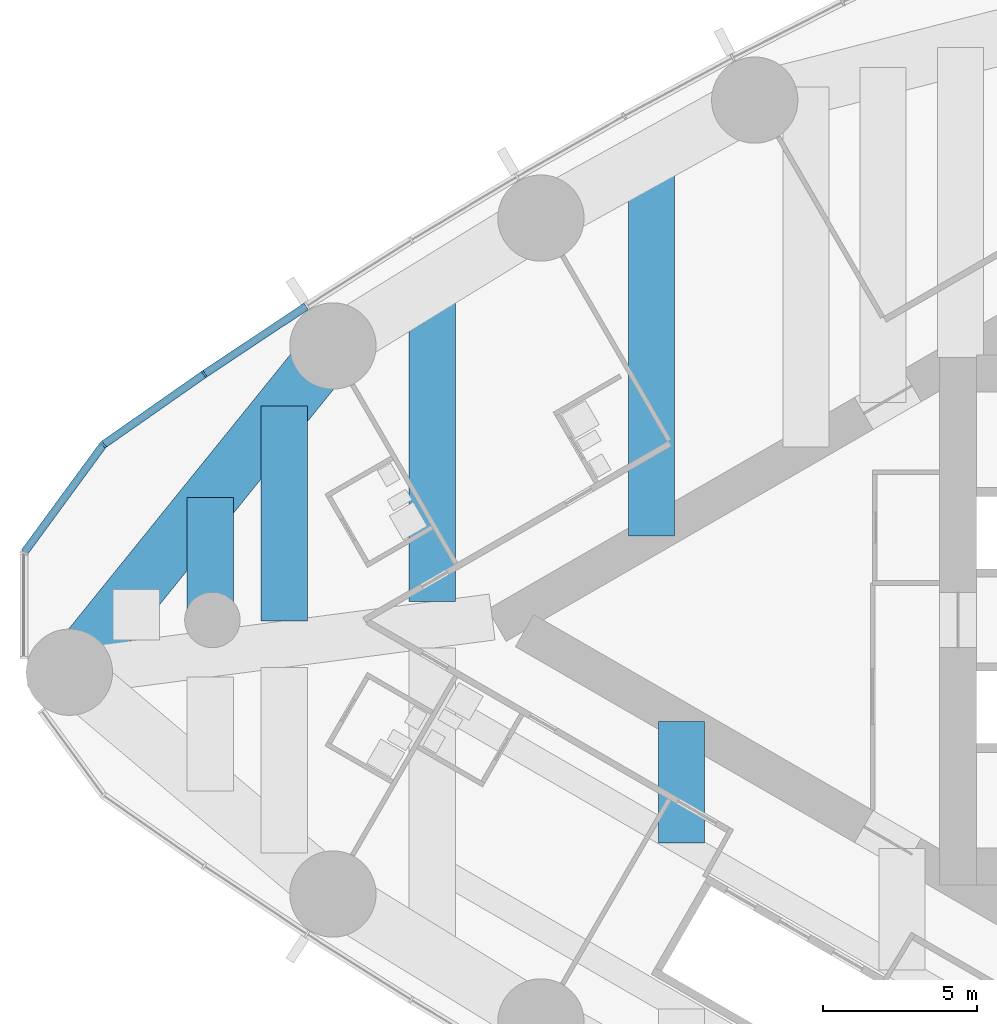
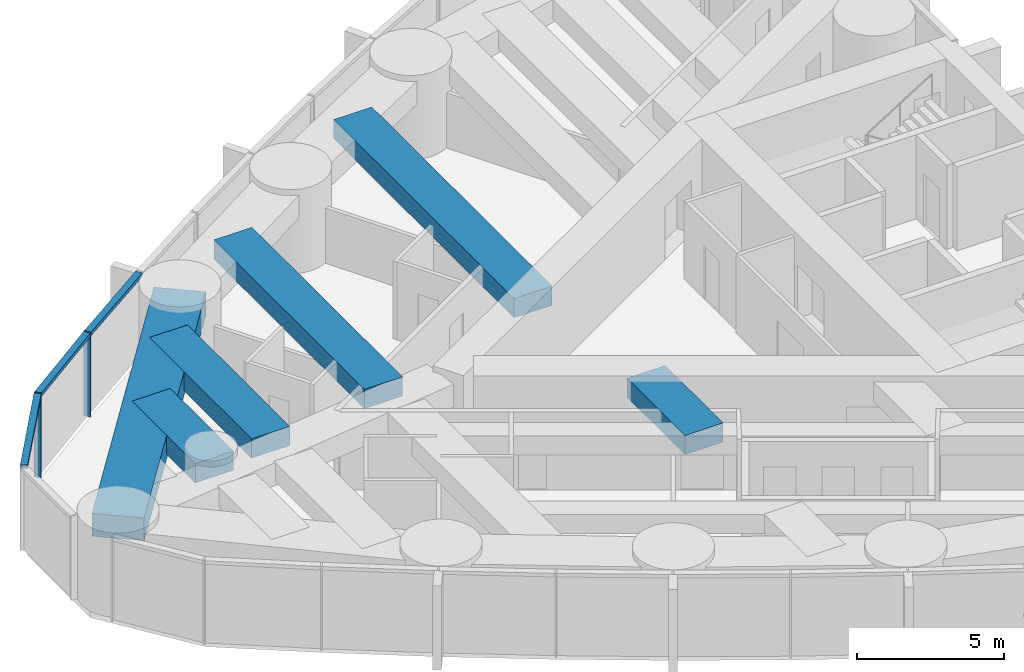
# One storey, part 3 of 18: 6 beams, 5 members, 1 element without a shape of its own.
"""IFC4 building model written with IfcOpenShell, lengths in metres."""

from ifc_helpers import new_model, si_unit, direction, frame, origin, origin_2d, place, context, subcontext, project, spatial, rectangle, extrude, material, material_profile, profile_set, type_object, element, aggregate, save


model = new_model("IFC4")

# Units and contexts
model_context = context("Model", 3, precision=1e-05, world=origin(), true_north=direction((0.0, 1.0)))
body_context = subcontext(model_context, "Body", "Model", "MODEL_VIEW")
ifc_project = project(units=[si_unit("LENGTHUNIT", "METRE"), si_unit("AREAUNIT", "SQUARE_METRE"), si_unit("VOLUMEUNIT", "CUBIC_METRE"), si_unit("PLANEANGLEUNIT", "RADIAN"), si_unit("MASSUNIT", "GRAM", prefix="KILO")], contexts=[model_context])

# Site, building, storey
site_placement = place(None, origin())
site = spatial("IfcSite", under=ifc_project, at=site_placement, CompositionType="ELEMENT")
building_placement = place(site_placement, origin())
building = spatial("IfcBuilding", under=site, at=building_placement, Name="Lancet Gate Hotel", CompositionType="ELEMENT")
storey_placement = place(building_placement, frame((0.0, 0.0, 180.800048828125)))
storey = spatial("IfcBuildingStorey", under=building, at=storey_placement, Name="L48", CompositionType="ELEMENT", Elevation=180.800048828125)

# Curtain wall, members
ifc_material_1 = material(Name="Aluminium curtain wall", Category="aluminium")
curtain_wall_type = type_object("IfcCurtainWallType", Name="Tower unitised curtain wall", PredefinedType="USERDEFINED", material=ifc_material_1)
curtain_wall_placement = place(storey_placement, origin())
curtain_wall = element("IfcCurtainWall", 1, at=curtain_wall_placement, inside=storey, type_object=curtain_wall_type, Name="T1 L48 curtain wall 2", ObjectType="UNITISED CURTAIN WALL", PredefinedType="USERDEFINED")
ifc_material_2 = material(Name="Aluminium mullion", Category="aluminium")
ifc_material_profile_1 = material_profile(ifc_material_2, rectangle(XDim=0.06494140625, YDim=0.25, at=origin_2d()), Name="MULLION 65x250")
ifc_profile_set_1 = profile_set([ifc_material_profile_1], Name="Aluminium mullion")
member_type_1 = type_object("IfcMemberType", Name="Aluminium mullion 65x250", PredefinedType="MULLION", material=ifc_profile_set_1)
member_1_placement = place(storey_placement, frame((-61.7626953125, 7.980712890625, 0.0), z_axis=(0.0, 0.0, 1.0), x_axis=(-0.826312172542, -0.563212387568, 0.0)))
member_1 = element("IfcMember", 2, at=member_1_placement, type_object=member_type_1, Name="T1 L48 curtain wall 2 mullion 10", PredefinedType="MULLION", context=body_context, shape_type="SweptSolid", body=[
    extrude(rectangle(XDim=0.06494140625, YDim=0.25, at=origin_2d()), origin(), (0.0, 0.0, 1.0), 3.5),
])
member_2_placement = place(storey_placement, frame((-65.040283203125, 5.68994140625, 0.0), z_axis=(0.0, 0.0, 1.0), x_axis=(-0.710112861968, -0.704087866155, 0.0)))
member_2 = element("IfcMember", 3, at=member_2_placement, type_object=member_type_1, Name="T1 L48 curtain wall 2 mullion 11", PredefinedType="MULLION", context=body_context, shape_type="SweptSolid", body=[
    extrude(rectangle(XDim=0.06494140625, YDim=0.25, at=origin_2d()), origin(), (0.0, 0.0, 1.0), 3.5),
])
ifc_material_3 = material(Name="Aluminium transom", Category="aluminium")
ifc_material_profile_2 = material_profile(ifc_material_3, rectangle(XDim=0.25, YDim=0.14990234375, at=origin_2d()), Name="TRANSOM 250x150")
ifc_profile_set_2 = profile_set([ifc_material_profile_2], Name="Aluminium transom")
member_type_2 = type_object("IfcMemberType", Name="Aluminium transom 250x150", PredefinedType="USERDEFINED", material=ifc_profile_set_2)
member_3_placement = place(storey_placement, frame((-58.459228515625, 10.176025390625, 3.425048828125), z_axis=(-0.832870509189, -0.553467898729, 0.0), x_axis=(0.553467898729, -0.832870509189, 0.0)))
member_3 = element("IfcMember", 4, at=member_3_placement, type_object=member_type_2, Name="T1 L48 curtain wall 2 transom 9", ObjectType="TRANSOM", PredefinedType="USERDEFINED", context=body_context, shape_type="SweptSolid", body=[
    extrude(rectangle(XDim=0.25, YDim=0.14990234375, at=origin_2d()), origin(), (0.0, 0.0, 1.0), 3.933837890625),
])
member_4_placement = place(storey_placement, frame((-61.789306640625, 7.962158203125, 3.425048828125), z_axis=(-0.819636985462, -0.572883244704, 0.0), x_axis=(0.572883244704, -0.819636985462, 0.0)))
member_4 = element("IfcMember", 5, at=member_4_placement, type_object=member_type_2, Name="T1 L48 curtain wall 2 transom 10", ObjectType="TRANSOM", PredefinedType="USERDEFINED", context=body_context, shape_type="SweptSolid", body=[
    extrude(rectangle(XDim=0.25, YDim=0.14990234375, at=origin_2d()), origin(), (0.0, 0.0, 1.0), 3.933837890625),
])
member_5_placement = place(storey_placement, frame((-65.0595703125, 5.66357421875, 3.425048828125), z_axis=(-0.591324189618, -0.806433941977, 0.0), x_axis=(0.806433941977, -0.591324189618, 0.0)))
member_5 = element("IfcMember", 6, at=member_5_placement, type_object=member_type_2, Name="T1 L48 curtain wall 2 transom 11", ObjectType="TRANSOM", PredefinedType="USERDEFINED", context=body_context, shape_type="SweptSolid", body=[
    extrude(rectangle(XDim=0.25, YDim=0.14990234375, at=origin_2d()), origin(), (0.0, 0.0, 1.0), 4.2900390625),
])
aggregate(curtain_wall, [member_1, member_2, member_3, member_4, member_5])

# Beams
ifc_material_4 = material(Name="Concrete C50/60", Category="concrete")
ifc_material_profile_3 = material_profile(ifc_material_4, rectangle(XDim=1.800048828125, YDim=0.949951171875, at=origin_2d()), Name="RC 1800x950")
ifc_profile_set_3 = profile_set([ifc_material_profile_3], Name="Concrete C50/60")
beam_type_1 = type_object("IfcBeamType", Name="Edge beam RC 1800x950", PredefinedType="SPANDREL", material=ifc_profile_set_3)
beam_1_placement = place(storey_placement, frame((-57.589599609375, 8.89306640625, 2.77490234375), z_axis=(-0.628373846765, -0.777911504416, 0.0), x_axis=(0.777911504416, -0.628373846765, 0.0)))
element("IfcBeam", 7, at=beam_1_placement, inside=storey, type_object=beam_type_1, Name="T1 edge beam EB1 L48", PredefinedType="SPANDREL", context=body_context, shape_type="SweptSolid", body=[
    extrude(rectangle(XDim=1.800048828125, YDim=0.949951171875, at=origin_2d()), origin(), (0.0, 0.0, 1.0), 13.611328125),
])
ifc_material_5 = material(Name="Concrete C50/60", Category="concrete")
ifc_material_profile_4 = material_profile(ifc_material_5, rectangle(XDim=1.5, YDim=0.800048828125, at=origin_2d()), Name="RC 1500x800")
ifc_profile_set_4 = profile_set([ifc_material_profile_4], Name="Concrete C50/60")
beam_type_2 = type_object("IfcBeamType", Name="Floor beam RC 1500x800", PredefinedType="BEAM", material=ifc_profile_set_4)
beam_2_placement = place(storey_placement, frame((-47.254638671875, 15.020751953125, 2.849853515625), z_axis=(0.0, -1.0, 0.0), x_axis=(1.0, 0.0, 0.0)))
element("IfcBeam", 8, at=beam_2_placement, inside=storey, type_object=beam_type_2, Name="T1 floor beam F09S L48", PredefinedType="BEAM", context=body_context, shape_type="SweptSolid", body=[
    extrude(rectangle(XDim=1.5, YDim=0.800048828125, at=origin_2d()), origin(), (0.0, 0.0, 1.0), 12.29931640625),
])
beam_3_placement = place(storey_placement, frame((-54.3681640625, 10.87353515625, 2.849853515625), z_axis=(0.0, -1.0, 0.0), x_axis=(1.0, 0.0, 0.0)))
element("IfcBeam", 9, at=beam_3_placement, inside=storey, type_object=beam_type_2, Name="T1 floor beam F10S L48", PredefinedType="BEAM", context=body_context, shape_type="SweptSolid", body=[
    extrude(rectangle(XDim=1.5, YDim=0.800048828125, at=origin_2d()), origin(), (0.0, 0.0, 1.0), 10.27392578125),
])
beam_4_placement = place(storey_placement, frame((-59.168212890625, 6.938720703125, 2.849853515625), z_axis=(0.0, -1.0, 0.0), x_axis=(1.0, 0.0, 0.0)))
element("IfcBeam", 10, at=beam_4_placement, inside=storey, type_object=beam_type_2, Name="T1 floor beam F12S L48", PredefinedType="BEAM", context=body_context, shape_type="SweptSolid", body=[
    extrude(rectangle(XDim=1.5, YDim=0.800048828125, at=origin_2d()), origin(), (0.0, 0.0, 1.0), 6.96630859375),
])
beam_5_placement = place(storey_placement, frame((-61.568359375, 3.967529296875, 2.849853515625), z_axis=(0.0, -1.0, 0.0), x_axis=(1.0, 0.0, 0.0)))
element("IfcBeam", 11, at=beam_5_placement, inside=storey, type_object=beam_type_2, Name="T1 floor beam F14S L48", PredefinedType="BEAM", context=body_context, shape_type="SweptSolid", body=[
    extrude(rectangle(XDim=1.5, YDim=0.800048828125, at=origin_2d()), origin(), (0.0, 0.0, 1.0), 4.308837890625),
])
beam_6_placement = place(storey_placement, frame((-46.27587890625, -3.28662109375, 2.849853515625), z_axis=(0.0, -1.0, 0.0), x_axis=(1.0, 0.0, 0.0)))
element("IfcBeam", 12, at=beam_6_placement, inside=storey, type_object=beam_type_2, Name="T1 floor beam F08NA L48", PredefinedType="BEAM", context=body_context, shape_type="SweptSolid", body=[
    extrude(rectangle(XDim=1.5, YDim=0.800048828125, at=origin_2d()), origin(), (0.0, 0.0, 1.0), 3.945556640625),
])

save(model, "model.ifc")
